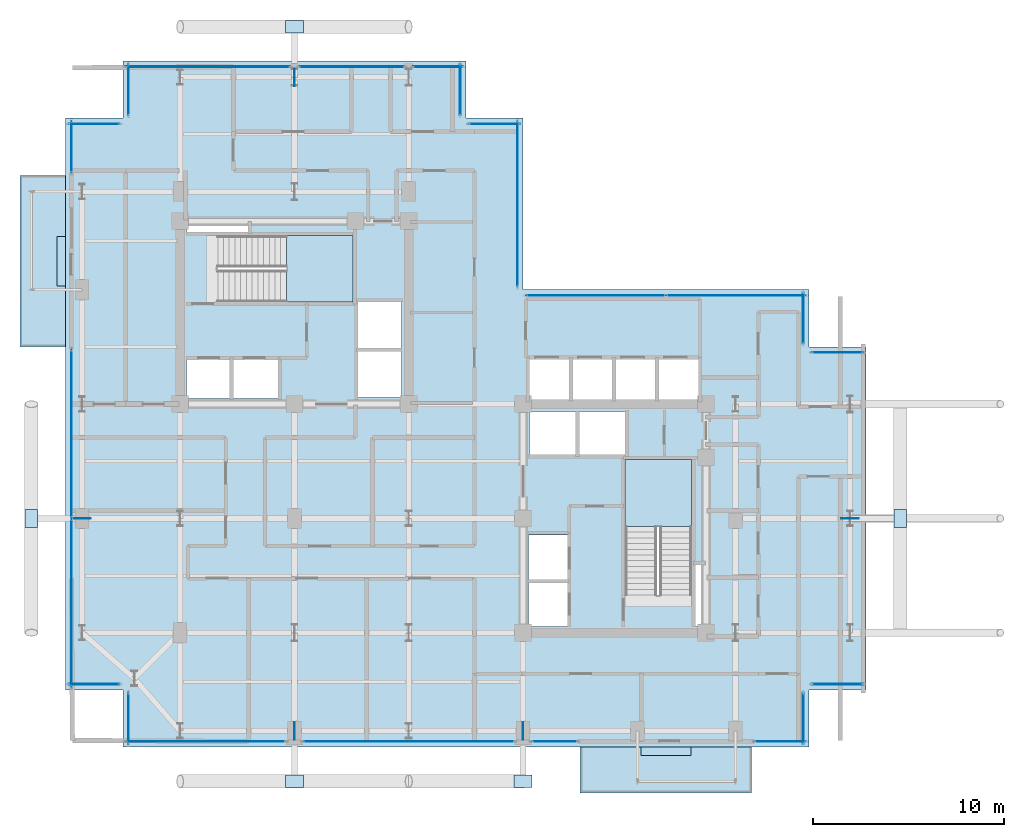
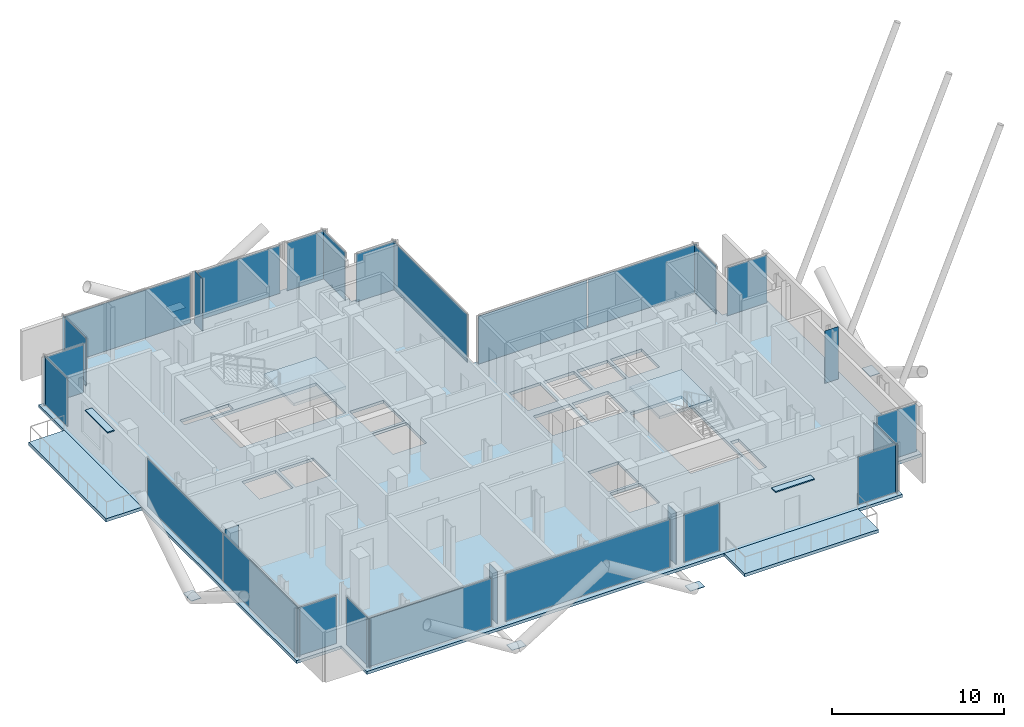
# One storey, part 16 of 26: 35 plates, 5 slabs, 23 elements without a shape of their own.
"""IFC4 building model written with IfcOpenShell, lengths in metres."""

from ifc_helpers import new_model, si_unit, direction, frame, origin, origin_2d, place, context, subcontext, project, spatial, polyline, rectangle, outline, extrude, material, layer, layer_set, type_object, element, aggregate, save


model = new_model("IFC4")

# Units and contexts
model_context = context("Model", 3, precision=1e-05, world=origin(), true_north=direction((0.0, 1.0)))
body_context = subcontext(model_context, "Body", "Model", "MODEL_VIEW")
ifc_project = project(units=[si_unit("LENGTHUNIT", "METRE"), si_unit("AREAUNIT", "SQUARE_METRE"), si_unit("VOLUMEUNIT", "CUBIC_METRE"), si_unit("PLANEANGLEUNIT", "RADIAN"), si_unit("MASSUNIT", "GRAM", prefix="KILO"), si_unit("THERMODYNAMICTEMPERATUREUNIT", "KELVIN"), si_unit("POWERUNIT", "WATT")], contexts=[model_context])

# Site, building, storey
site_placement = place(None, origin())
site = spatial("IfcSite", under=ifc_project, at=site_placement, CompositionType="ELEMENT")
building_placement = place(site_placement, origin())
building = spatial("IfcBuilding", under=site, at=building_placement, Name="Svarakhadi Broadcast Tower", CompositionType="ELEMENT")
storey_placement = place(building_placement, frame((0.0, 0.0, 184.199951171875)))
storey = spatial("IfcBuildingStorey", under=building, at=storey_placement, Name="L45", CompositionType="ELEMENT", Elevation=184.199951171875)

# Curtain wall, plate
ifc_material_1 = material(Name="Anodised Bronze Aluminium AA 6063-T6", Category="aluminium")
ifc_layer_1 = layer(ifc_material_1, 0.18994140625)
ifc_layer_set_1 = layer_set([ifc_layer_1], Name="Anodised Bronze Aluminium AA 6063-T6")
curtain_wall_type = type_object("IfcCurtainWallType", Name="CW_Sys_04", PredefinedType="NOTDEFINED", material=ifc_layer_set_1)
curtain_wall_1_placement = place(storey_placement, origin())
curtain_wall_1 = element("IfcCurtainWall", 1, at=curtain_wall_1_placement, inside=storey, type_object=curtain_wall_type, Name="L45 Unitised Facade Curtain Wall 01", PredefinedType="NOTDEFINED")
ifc_material_2 = material(Name="Double Low-E Laminated Acoustic Glass IGU 36 mm", Category="glass")
ifc_layer_2 = layer(ifc_material_2, 0.033935546875)
ifc_layer_set_2 = layer_set([ifc_layer_2], Name="Double Low-E Laminated Acoustic Glass IGU 36 mm")
plate_type_1 = type_object("IfcPlateType", Name="CW_Sys_04_Pnl", PredefinedType="CURTAIN_PANEL", material=ifc_layer_set_2)
plate_1_placement = place(storey_placement, frame((1.5, 3.300048828125, 0.06494140625), z_axis=(0.0, 0.0, 1.0), x_axis=(-1.0, 0.0, 0.0)))
plate_1 = element("IfcPlate", 2, at=plate_1_placement, type_object=plate_type_1, Name="CW-04 panel 1.1", PredefinedType="CURTAIN_PANEL", context=body_context, shape_type="SweptSolid", body=[
    extrude(rectangle(XDim=2.679931640625, YDim=0.033935546875, at=origin_2d()), origin(), (0.0, 0.0, 1.0), 3.409912109375),
])
aggregate(curtain_wall_1, [plate_1])

# Curtain wall, plates
curtain_wall_2_placement = place(storey_placement, origin())
curtain_wall_2 = element("IfcCurtainWall", 3, at=curtain_wall_2_placement, inside=storey, type_object=curtain_wall_type, Name="L45 West Curtain Wall 02", PredefinedType="NOTDEFINED")
plate_2_placement = place(storey_placement, frame((0.300048828125, 7.5625, 0.06494140625), z_axis=(0.0, 0.0, 1.0), x_axis=(0.0, 1.0, 0.0)))
plate_2 = element("IfcPlate", 4, at=plate_2_placement, type_object=plate_type_1, Name="CW-04 panel 1.1", PredefinedType="CURTAIN_PANEL", context=body_context, shape_type="SweptSolid", body=[
    extrude(rectangle(XDim=8.804931640625, YDim=0.033935546875, at=origin_2d()), origin(), (0.0, 0.0, 1.0), 3.409912109375),
])
plate_3_placement = place(storey_placement, frame((0.300048828125, 16.4375, 0.06494140625), z_axis=(0.0, 0.0, 1.0), x_axis=(0.0, 1.0, 0.0)))
plate_3 = element("IfcPlate", 5, at=plate_3_placement, type_object=plate_type_1, Name="CW-04 panel 2.1", PredefinedType="CURTAIN_PANEL", context=body_context, shape_type="SweptSolid", body=[
    extrude(rectangle(XDim=8.804931640625, YDim=0.033935546875, at=origin_2d()), origin(), (0.0, 0.0, 1.0), 3.409912109375),
])
aggregate(curtain_wall_2, [plate_2, plate_3])

# Curtain wall, plate
curtain_wall_3_placement = place(storey_placement, origin())
curtain_wall_3 = element("IfcCurtainWall", 6, at=curtain_wall_3_placement, inside=storey, type_object=curtain_wall_type, Name="L45 West Curtain Wall 03", PredefinedType="NOTDEFINED")
plate_4_placement = place(storey_placement, frame((0.300048828125, 31.5, 0.06494140625), z_axis=(0.0, 0.0, 1.0), x_axis=(0.0, 1.0, 0.0)))
plate_4 = element("IfcPlate", 7, at=plate_4_placement, type_object=plate_type_1, Name="CW-04 panel 1.1", PredefinedType="CURTAIN_PANEL", context=body_context, shape_type="SweptSolid", body=[
    extrude(rectangle(XDim=2.679931640625, YDim=0.033935546875, at=origin_2d()), origin(), (0.0, 0.0, 1.0), 3.409912109375),
])
aggregate(curtain_wall_3, [plate_4])

curtain_wall_4_placement = place(storey_placement, origin())
curtain_wall_4 = element("IfcCurtainWall", 8, at=curtain_wall_4_placement, inside=storey, type_object=curtain_wall_type, Name="L45 Unitised Facade Curtain Wall 04", PredefinedType="NOTDEFINED")
plate_5_placement = place(storey_placement, frame((1.5, 32.699951171875, 0.06494140625), z_axis=(0.0, 0.0, 1.0), x_axis=(1.0, 0.0, 0.0)))
plate_5 = element("IfcPlate", 9, at=plate_5_placement, type_object=plate_type_1, Name="CW-04 panel 1.1", PredefinedType="CURTAIN_PANEL", context=body_context, shape_type="SweptSolid", body=[
    extrude(rectangle(XDim=2.679931640625, YDim=0.033935546875, at=origin_2d()), origin(), (0.0, 0.0, 1.0), 3.409912109375),
])
aggregate(curtain_wall_4, [plate_5])

curtain_wall_5_placement = place(storey_placement, origin())
curtain_wall_5 = element("IfcCurtainWall", 10, at=curtain_wall_5_placement, inside=storey, type_object=curtain_wall_type, Name="L45 Unitised Facade Curtain Wall 05", PredefinedType="NOTDEFINED")
plate_6_placement = place(storey_placement, frame((3.300048828125, 34.5, 0.06494140625), z_axis=(0.0, 0.0, 1.0), x_axis=(0.0, 1.0, 0.0)))
plate_6 = element("IfcPlate", 11, at=plate_6_placement, type_object=plate_type_1, Name="CW-04 panel 1.1", PredefinedType="CURTAIN_PANEL", context=body_context, shape_type="SweptSolid", body=[
    extrude(rectangle(XDim=2.679931640625, YDim=0.033935546875, at=origin_2d()), origin(), (0.0, 0.0, 1.0), 3.409912109375),
])
aggregate(curtain_wall_5, [plate_6])

curtain_wall_6_placement = place(storey_placement, origin())
curtain_wall_6 = element("IfcCurtainWall", 12, at=curtain_wall_6_placement, inside=storey, type_object=curtain_wall_type, Name="L45 Unitised Facade Curtain Wall 06 Bay 1", PredefinedType="NOTDEFINED")
plate_7_placement = place(storey_placement, frame((7.4599609375, 35.699951171875, 0.06494140625), z_axis=(0.0, 0.0, 1.0), x_axis=(1.0, 0.0, 0.0)))
plate_7 = element("IfcPlate", 13, at=plate_7_placement, type_object=plate_type_1, Name="CW-04 panel 1.1", PredefinedType="CURTAIN_PANEL", context=body_context, shape_type="SweptSolid", body=[
    extrude(rectangle(XDim=8.60009765625, YDim=0.033935546875, at=origin_2d()), origin(), (0.0, 0.0, 1.0), 3.409912109375),
])
aggregate(curtain_wall_6, [plate_7])

curtain_wall_7_placement = place(storey_placement, origin())
curtain_wall_7 = element("IfcCurtainWall", 14, at=curtain_wall_7_placement, inside=storey, type_object=curtain_wall_type, Name="L45 Unitised Facade Curtain Wall 06 Bay 2", PredefinedType="NOTDEFINED")
plate_8_placement = place(storey_placement, frame((15.0, 35.699951171875, 0.06494140625), z_axis=(0.0, 0.0, 1.0), x_axis=(1.0, 0.0, 0.0)))
plate_8 = element("IfcPlate", 15, at=plate_8_placement, type_object=plate_type_1, Name="CW-04 panel 1.1", PredefinedType="CURTAIN_PANEL", context=body_context, shape_type="SweptSolid", body=[
    extrude(rectangle(XDim=5.52001953125, YDim=0.033935546875, at=origin_2d()), origin(), (0.0, 0.0, 1.0), 3.409912109375),
])
aggregate(curtain_wall_7, [plate_8])

curtain_wall_8_placement = place(storey_placement, origin())
curtain_wall_8 = element("IfcCurtainWall", 16, at=curtain_wall_8_placement, inside=storey, type_object=curtain_wall_type, Name="L45 Unitised Facade Curtain Wall 06 Bay 3", PredefinedType="NOTDEFINED")
plate_9_placement = place(storey_placement, frame((19.5400390625, 35.699951171875, 0.06494140625), z_axis=(0.0, 0.0, 1.0), x_axis=(1.0, 0.0, 0.0)))
plate_9 = element("IfcPlate", 17, at=plate_9_placement, type_object=plate_type_1, Name="CW-04 panel 1.1", PredefinedType="CURTAIN_PANEL", context=body_context, shape_type="SweptSolid", body=[
    extrude(rectangle(XDim=2.60009765625, YDim=0.033935546875, at=origin_2d()), origin(), (0.0, 0.0, 1.0), 3.409912109375),
])
aggregate(curtain_wall_8, [plate_9])

curtain_wall_9_placement = place(storey_placement, origin())
curtain_wall_9 = element("IfcCurtainWall", 18, at=curtain_wall_9_placement, inside=storey, type_object=curtain_wall_type, Name="L45 Unitised Facade Curtain Wall 07", PredefinedType="NOTDEFINED")
plate_10_placement = place(storey_placement, frame((20.699951171875, 34.5, 0.06494140625), z_axis=(0.0, 0.0, 1.0), x_axis=(0.0, -1.0, 0.0)))
plate_10 = element("IfcPlate", 19, at=plate_10_placement, type_object=plate_type_1, Name="CW-04 panel 1.1", PredefinedType="CURTAIN_PANEL", context=body_context, shape_type="SweptSolid", body=[
    extrude(rectangle(XDim=2.679931640625, YDim=0.033935546875, at=origin_2d()), origin(), (0.0, 0.0, 1.0), 3.409912109375),
])
aggregate(curtain_wall_9, [plate_10])

curtain_wall_10_placement = place(storey_placement, origin())
curtain_wall_10 = element("IfcCurtainWall", 20, at=curtain_wall_10_placement, inside=storey, type_object=curtain_wall_type, Name="L45 Unitised Facade Curtain Wall 08", PredefinedType="NOTDEFINED")
plate_11_placement = place(storey_placement, frame((22.5, 32.699951171875, 0.06494140625), z_axis=(0.0, 0.0, 1.0), x_axis=(1.0, 0.0, 0.0)))
plate_11 = element("IfcPlate", 21, at=plate_11_placement, type_object=plate_type_1, Name="CW-04 panel 1.1", PredefinedType="CURTAIN_PANEL", context=body_context, shape_type="SweptSolid", body=[
    extrude(rectangle(XDim=2.679931640625, YDim=0.033935546875, at=origin_2d()), origin(), (0.0, 0.0, 1.0), 3.409912109375),
])
aggregate(curtain_wall_10, [plate_11])

curtain_wall_11_placement = place(storey_placement, origin())
curtain_wall_11 = element("IfcCurtainWall", 22, at=curtain_wall_11_placement, inside=storey, type_object=curtain_wall_type, Name="L45 Unitised Facade Curtain Wall 09", PredefinedType="NOTDEFINED")
plate_12_placement = place(storey_placement, frame((23.699951171875, 28.5, 0.06494140625), z_axis=(0.0, 0.0, 1.0), x_axis=(0.0, -1.0, 0.0)))
plate_12 = element("IfcPlate", 23, at=plate_12_placement, type_object=plate_type_1, Name="CW-04 panel 1.1", PredefinedType="CURTAIN_PANEL", context=body_context, shape_type="SweptSolid", body=[
    extrude(rectangle(XDim=8.679931640625, YDim=0.033935546875, at=origin_2d()), origin(), (0.0, 0.0, 1.0), 3.409912109375),
])
aggregate(curtain_wall_11, [plate_12])

# Curtain wall, plates
curtain_wall_12_placement = place(storey_placement, origin())
curtain_wall_12 = element("IfcCurtainWall", 24, at=curtain_wall_12_placement, inside=storey, type_object=curtain_wall_type, Name="L45 Unitised Facade Curtain Wall 10", PredefinedType="NOTDEFINED")
plate_13_placement = place(storey_placement, frame((27.8125, 23.699951171875, 0.06494140625), z_axis=(0.0, 0.0, 1.0), x_axis=(1.0, 0.0, 0.0)))
plate_13 = element("IfcPlate", 25, at=plate_13_placement, type_object=plate_type_1, Name="CW-04 panel 1.1", PredefinedType="CURTAIN_PANEL", context=body_context, shape_type="SweptSolid", body=[
    extrude(rectangle(XDim=7.304931640625, YDim=0.033935546875, at=origin_2d()), origin(), (0.0, 0.0, 1.0), 3.409912109375),
])
plate_14_placement = place(storey_placement, frame((35.1875, 23.699951171875, 0.06494140625), z_axis=(0.0, 0.0, 1.0), x_axis=(1.0, 0.0, 0.0)))
plate_14 = element("IfcPlate", 26, at=plate_14_placement, type_object=plate_type_1, Name="CW-04 panel 2.1", PredefinedType="CURTAIN_PANEL", context=body_context, shape_type="SweptSolid", body=[
    extrude(rectangle(XDim=7.304931640625, YDim=0.033935546875, at=origin_2d()), origin(), (0.0, 0.0, 1.0), 3.409912109375),
])
aggregate(curtain_wall_12, [plate_13, plate_14])

# Curtain wall, plate
curtain_wall_13_placement = place(storey_placement, origin())
curtain_wall_13 = element("IfcCurtainWall", 27, at=curtain_wall_13_placement, inside=storey, type_object=curtain_wall_type, Name="L45 Unitised Facade Curtain Wall 11", PredefinedType="NOTDEFINED")
plate_15_placement = place(storey_placement, frame((38.699951171875, 22.5, 0.06494140625), z_axis=(0.0, 0.0, 1.0), x_axis=(0.0, -1.0, 0.0)))
plate_15 = element("IfcPlate", 28, at=plate_15_placement, type_object=plate_type_1, Name="CW-04 panel 1.1", PredefinedType="CURTAIN_PANEL", context=body_context, shape_type="SweptSolid", body=[
    extrude(rectangle(XDim=2.679931640625, YDim=0.033935546875, at=origin_2d()), origin(), (0.0, 0.0, 1.0), 3.409912109375),
])
aggregate(curtain_wall_13, [plate_15])

curtain_wall_14_placement = place(storey_placement, origin())
curtain_wall_14 = element("IfcCurtainWall", 29, at=curtain_wall_14_placement, inside=storey, type_object=curtain_wall_type, Name="L45 Unitised Facade Curtain Wall 12", PredefinedType="NOTDEFINED")
plate_16_placement = place(storey_placement, frame((40.5, 20.699951171875, 0.06494140625), z_axis=(0.0, 0.0, 1.0), x_axis=(1.0, 0.0, 0.0)))
plate_16 = element("IfcPlate", 30, at=plate_16_placement, type_object=plate_type_1, Name="CW-04 panel 1.1", PredefinedType="CURTAIN_PANEL", context=body_context, shape_type="SweptSolid", body=[
    extrude(rectangle(XDim=2.679931640625, YDim=0.033935546875, at=origin_2d()), origin(), (0.0, 0.0, 1.0), 3.409912109375),
])
aggregate(curtain_wall_14, [plate_16])

curtain_wall_15_placement = place(storey_placement, origin())
curtain_wall_15 = element("IfcCurtainWall", 31, at=curtain_wall_15_placement, inside=storey, type_object=curtain_wall_type, Name="L45 Unitised Facade Curtain Wall 13", PredefinedType="NOTDEFINED")
plate_17_placement = place(storey_placement, frame((40.5, 3.300048828125, 0.06494140625), z_axis=(0.0, 0.0, 1.0), x_axis=(-1.0, 0.0, 0.0)))
plate_17 = element("IfcPlate", 32, at=plate_17_placement, type_object=plate_type_1, Name="CW-04 panel 1.1", PredefinedType="CURTAIN_PANEL", context=body_context, shape_type="SweptSolid", body=[
    extrude(rectangle(XDim=2.679931640625, YDim=0.033935546875, at=origin_2d()), origin(), (0.0, 0.0, 1.0), 3.409912109375),
])
aggregate(curtain_wall_15, [plate_17])

curtain_wall_16_placement = place(storey_placement, origin())
curtain_wall_16 = element("IfcCurtainWall", 33, at=curtain_wall_16_placement, inside=storey, type_object=curtain_wall_type, Name="L45 Unitised Facade Curtain Wall 14", PredefinedType="NOTDEFINED")
plate_18_placement = place(storey_placement, frame((38.699951171875, 1.5, 0.06494140625), z_axis=(0.0, 0.0, 1.0), x_axis=(0.0, -1.0, 0.0)))
plate_18 = element("IfcPlate", 34, at=plate_18_placement, type_object=plate_type_1, Name="CW-04 panel 1.1", PredefinedType="CURTAIN_PANEL", context=body_context, shape_type="SweptSolid", body=[
    extrude(rectangle(XDim=2.679931640625, YDim=0.033935546875, at=origin_2d()), origin(), (0.0, 0.0, 1.0), 3.409912109375),
])
aggregate(curtain_wall_16, [plate_18])

curtain_wall_17_placement = place(storey_placement, origin())
curtain_wall_17 = element("IfcCurtainWall", 35, at=curtain_wall_17_placement, inside=storey, type_object=curtain_wall_type, Name="L45 South Curtain Wall 15", PredefinedType="NOTDEFINED")
plate_19_placement = place(storey_placement, frame((37.5, 0.300048828125, 0.06494140625), z_axis=(0.0, 0.0, 1.0), x_axis=(-1.0, 0.0, 0.0)))
plate_19 = element("IfcPlate", 36, at=plate_19_placement, type_object=plate_type_1, Name="CW-04 panel 1.1", PredefinedType="CURTAIN_PANEL", context=body_context, shape_type="SweptSolid", body=[
    extrude(rectangle(XDim=2.679931640625, YDim=0.033935546875, at=origin_2d()), origin(), (0.0, 0.0, 1.0), 3.409912109375),
])
aggregate(curtain_wall_17, [plate_19])

curtain_wall_18_placement = place(storey_placement, origin())
curtain_wall_18 = element("IfcCurtainWall", 37, at=curtain_wall_18_placement, inside=storey, type_object=curtain_wall_type, Name="L45 South Curtain Wall 16 Bay 1", PredefinedType="NOTDEFINED")
plate_20_placement = place(storey_placement, frame((25.652587890625, 0.300048828125, 0.06494140625), z_axis=(0.0, 0.0, 1.0), x_axis=(-1.0, 0.0, 0.0)))
plate_20 = element("IfcPlate", 38, at=plate_20_placement, type_object=plate_type_1, Name="CW-04 panel 1.1", PredefinedType="CURTAIN_PANEL", context=body_context, shape_type="SweptSolid", body=[
    extrude(rectangle(XDim=2.375, YDim=0.033935546875, at=origin_2d()), origin(), (0.0, 0.0, 1.0), 3.409912109375),
])
aggregate(curtain_wall_18, [plate_20])

curtain_wall_19_placement = place(storey_placement, origin())
curtain_wall_19 = element("IfcCurtainWall", 39, at=curtain_wall_19_placement, inside=storey, type_object=curtain_wall_type, Name="L45 South Curtain Wall 16 Bay 2", PredefinedType="NOTDEFINED")
plate_21_placement = place(storey_placement, frame((18.0, 0.300048828125, 0.06494140625), z_axis=(0.0, 0.0, 1.0), x_axis=(-1.0, 0.0, 0.0)))
plate_21 = element("IfcPlate", 40, at=plate_21_placement, type_object=plate_type_1, Name="CW-04 panel 1.1", PredefinedType="CURTAIN_PANEL", context=body_context, shape_type="SweptSolid", body=[
    extrude(rectangle(XDim=11.070068359375, YDim=0.033935546875, at=origin_2d()), origin(), (0.0, 0.0, 1.0), 3.409912109375),
])
aggregate(curtain_wall_19, [plate_21])

curtain_wall_20_placement = place(storey_placement, origin())
curtain_wall_20 = element("IfcCurtainWall", 41, at=curtain_wall_20_placement, inside=storey, type_object=curtain_wall_type, Name="L45 South Curtain Wall 16 Bay 3", PredefinedType="NOTDEFINED")
plate_22_placement = place(storey_placement, frame((7.347412109375, 0.300048828125, 0.06494140625), z_axis=(0.0, 0.0, 1.0), x_axis=(-1.0, 0.0, 0.0)))
plate_22 = element("IfcPlate", 42, at=plate_22_placement, type_object=plate_type_1, Name="CW-04 panel 1.1", PredefinedType="CURTAIN_PANEL", context=body_context, shape_type="SweptSolid", body=[
    extrude(rectangle(XDim=8.375, YDim=0.033935546875, at=origin_2d()), origin(), (0.0, 0.0, 1.0), 3.409912109375),
])
aggregate(curtain_wall_20, [plate_22])

curtain_wall_21_placement = place(storey_placement, origin())
curtain_wall_21 = element("IfcCurtainWall", 43, at=curtain_wall_21_placement, inside=storey, type_object=curtain_wall_type, Name="L45 Unitised Facade Curtain Wall 17", PredefinedType="NOTDEFINED")
plate_23_placement = place(storey_placement, frame((3.300048828125, 1.5, 0.06494140625), z_axis=(0.0, 0.0, 1.0), x_axis=(0.0, 1.0, 0.0)))
plate_23 = element("IfcPlate", 44, at=plate_23_placement, type_object=plate_type_1, Name="CW-04 panel 1.1", PredefinedType="CURTAIN_PANEL", context=body_context, shape_type="SweptSolid", body=[
    extrude(rectangle(XDim=2.679931640625, YDim=0.033935546875, at=origin_2d()), origin(), (0.0, 0.0, 1.0), 3.409912109375),
])
aggregate(curtain_wall_21, [plate_23])

# Plates
ifc_material_3 = material(Name="Steel S460ML (IS 2062 E450BR)", Category="steel")
ifc_layer_3 = layer(ifc_material_3, 0.028076171875)
ifc_layer_set_3 = layer_set([ifc_layer_3], Name="Steel S460ML (IS 2062 E450BR)")
plate_type_2 = type_object("IfcPlateType", Name="Node_Gusset_N03", PredefinedType="SHEET", material=ifc_layer_set_3)
for number, where, z_axis, x_axis, name in (
    (45, (12.0, -1.800048828125, -0.2099609375), (0.0, 0.0, 1.0), (1.0, 0.0, 0.0), "L45 Exoskeleton Gusset Node Plate S01"),
    (46, (24.0, -1.800048828125, -0.2099609375), (0.0, 0.0, 1.0), (1.0, 0.0, 0.0), "L45 Exoskeleton Gusset Node Plate S02"),
    (47, (-1.800048828125, 12.0, -0.2099609375), (0.0, 0.0, 1.0), (0.0, 1.0, 0.0), "L45 Exoskeleton Gusset Node Plate W03"),
    (48, (43.800048828125, 12.0, -0.2099609375), (0.0, 0.0, 1.0), (0.0, 1.0, 0.0), "L45 Exoskeleton Gusset Node Plate E04"),
    (49, (12.0, 37.800048828125, -0.2099609375), (0.0, 0.0, 1.0), (1.0, 0.0, 0.0), "L45 Exoskeleton Gusset Node Plate N05"),
):
    element("IfcPlate", number, at=place(storey_placement, frame(where, z_axis=z_axis, x_axis=x_axis)), inside=storey, type_object=plate_type_2, Name=name, PredefinedType="SHEET", context=body_context, shape_type="SweptSolid", body=[
        extrude(rectangle(XDim=0.9599609375, YDim=0.659912109375, at=origin_2d()), origin(), (0.0, 0.0, 1.0), 0.028076171875),
    ])
ifc_layer_4 = layer(ifc_material_3, 0.02587890625)
ifc_layer_set_4 = layer_set([ifc_layer_4], Name="Steel S460ML (IS 2062 E450BR)")
plate_type_3 = type_object("IfcPlateType", Name="Node_Gusset_N07", PredefinedType="SHEET", material=ifc_layer_set_4)
for number, where, z_axis, x_axis, name in (
    (50, (12.0, 0.85009765625, -0.57177734375), (0.0, 0.0, 1.0), (0.0, 1.0, 0.0), "L45 Brace End Connection Gusset Plate N-07-E0373"),
    (51, (24.0, 0.85009765625, -0.57177734375), (0.0, 0.0, 1.0), (0.0, 1.0, 0.0), "L45 Brace End Connection Gusset Plate N-07-E0374"),
    (52, (0.85009765625, 12.0, -0.57177734375), (0.0, 0.0, 1.0), (1.0, 0.0, 0.0), "L45 Brace End Connection Gusset Plate N-07-E0375"),
    (53, (41.14990234375, 12.0, -0.57177734375), (0.0, 0.0, 1.0), (1.0, 0.0, 0.0), "L45 Brace End Connection Gusset Plate N-07-E0376"),
    (54, (12.0, 35.14990234375, -0.57177734375), (0.0, 0.0, 1.0), (0.0, 1.0, 0.0), "L45 Brace End Connection Gusset Plate N-07-E0377"),
):
    element("IfcPlate", number, at=place(storey_placement, frame(where, z_axis=z_axis, x_axis=x_axis)), inside=storey, type_object=plate_type_3, Name=name, PredefinedType="SHEET", context=body_context, shape_type="SweptSolid", body=[
        extrude(rectangle(XDim=0.919921875, YDim=0.02587890625, at=origin_2d()), origin(), (0.0, 0.0, 1.0), 4.300048828125),
    ])

# Slab
ifc_material_4 = material(Name="Concrete C40/50 (IS 456 M50)", Category="concrete")
ifc_layer_5 = layer(ifc_material_4, 0.2099609375)
ifc_layer_set_5 = layer_set([ifc_layer_5], Name="Concrete C40/50 (IS 456 M50)")
slab_type_1 = type_object("IfcSlabType", Name="Slab_Floor_210", PredefinedType="FLOOR", material=ifc_layer_set_5)
slab_1_placement = place(storey_placement, frame((0.0, 0.0, -0.2099609375)))
element("IfcSlab", 55, at=slab_1_placement, inside=storey, type_object=slab_type_1, Name="L45 Structural Floor Slab", PredefinedType="FLOOR", context=body_context, shape_type="SweptSolid", body=[
    extrude(outline(polyline([(3.0, 0.0), (39.0, 0.0), (39.0, 3.0), (42.0, 3.0), (42.0, 21.0), (39.0, 21.0), (39.0, 24.0), (24.0, 24.0), (24.0, 33.0), (21.0, 33.0), (21.0, 36.0), (3.0, 36.0), (3.0, 33.0), (0.0, 33.0), (0.0, 3.0), (3.0, 3.0), (3.0, 0.0)]), holes=[polyline([(7.97998046875, 23.360107421875), (15.080078125, 23.360107421875), (15.080078125, 26.840087890625), (7.97998046875, 26.840087890625), (7.97998046875, 23.360107421875)]), polyline([(32.840087890625, 7.97998046875), (32.840087890625, 15.080078125), (29.360107421875, 15.080078125), (29.360107421875, 7.97998046875), (32.840087890625, 7.97998046875)]), polyline([(6.340087890625, 18.2900390625), (8.610107421875, 18.2900390625), (8.610107421875, 20.330078125), (6.340087890625, 20.330078125), (6.340087890625, 18.2900390625)]), polyline([(8.7900390625, 18.2900390625), (11.1298828125, 18.2900390625), (11.1298828125, 20.330078125), (8.7900390625, 20.330078125), (8.7900390625, 18.2900390625)]), polyline([(24.2900390625, 6.340087890625), (26.330078125, 6.340087890625), (26.330078125, 8.610107421875), (24.2900390625, 8.610107421875), (24.2900390625, 6.340087890625)]), polyline([(24.2900390625, 8.7900390625), (26.330078125, 8.7900390625), (26.330078125, 11.1298828125), (24.2900390625, 11.1298828125), (24.2900390625, 8.7900390625)]), polyline([(6.340087890625, 26.989990234375), (9.610107421875, 26.989990234375), (9.610107421875, 27.530029296875), (6.340087890625, 27.530029296875), (6.340087890625, 26.989990234375)]), polyline([(32.989990234375, 6.340087890625), (33.530029296875, 6.340087890625), (33.530029296875, 9.610107421875), (32.989990234375, 9.610107421875), (32.989990234375, 6.340087890625)]), polyline([(15.340087890625, 18.340087890625), (17.610107421875, 18.340087890625), (17.610107421875, 20.760009765625), (15.340087890625, 20.760009765625), (15.340087890625, 18.340087890625)]), polyline([(15.340087890625, 20.93994140625), (17.610107421875, 20.93994140625), (17.610107421875, 23.360107421875), (15.340087890625, 23.360107421875), (15.340087890625, 20.93994140625)]), polyline([(24.340087890625, 15.340087890625), (26.760009765625, 15.340087890625), (26.760009765625, 17.610107421875), (24.340087890625, 17.610107421875), (24.340087890625, 15.340087890625)]), polyline([(26.93994140625, 15.340087890625), (29.360107421875, 15.340087890625), (29.360107421875, 17.610107421875), (26.93994140625, 17.610107421875), (26.93994140625, 15.340087890625)]), polyline([(24.340087890625, 18.239990234375), (26.429931640625, 18.239990234375), (26.429931640625, 20.360107421875), (24.340087890625, 20.360107421875), (24.340087890625, 18.239990234375)]), polyline([(26.610107421875, 18.239990234375), (28.679931640625, 18.239990234375), (28.679931640625, 20.360107421875), (26.610107421875, 20.360107421875), (26.610107421875, 18.239990234375)]), polyline([(28.860107421875, 18.239990234375), (30.929931640625, 18.239990234375), (30.929931640625, 20.360107421875), (28.860107421875, 20.360107421875), (28.860107421875, 18.239990234375)]), polyline([(31.110107421875, 18.239990234375), (33.2099609375, 18.239990234375), (33.2099609375, 20.360107421875), (31.110107421875, 20.360107421875), (31.110107421875, 18.239990234375)])]), origin(), (0.0, 0.0, 1.0), 0.2099609375),
])

# Stair, slab
stair_type = type_object("IfcStairType", Name="Stair_Exit_Core", PredefinedType="HALF_TURN_STAIR", material=ifc_material_4)
stair_1_placement = place(storey_placement, origin())
stair_1 = element("IfcStair", 56, at=stair_1_placement, inside=storey, type_object=stair_type, Name="L45 West Core Protected Exit Stair ST-01", PredefinedType="HALF_TURN_STAIR")
ifc_layer_6 = layer(ifc_material_4, 0.199951171875)
ifc_layer_set_6 = layer_set([ifc_layer_6], Name="Concrete C40/50 (IS 456 M50)")
slab_type_2 = type_object("IfcSlabType", Name="Slab_Stair_Land", PredefinedType="LANDING", material=ifc_layer_set_6)
slab_2_placement = place(storey_placement, frame((0.0, 0.0, 1.675048828125)))
slab_2 = element("IfcSlab", 57, at=slab_2_placement, type_object=slab_type_2, Name="ST-01 landing 1", PredefinedType="LANDING", context=body_context, shape_type="SweptSolid", body=[
    extrude(outline(polyline([(11.580078125, 23.360107421875), (15.080078125, 23.360107421875), (15.080078125, 26.840087890625), (11.580078125, 26.840087890625), (11.580078125, 23.360107421875)])), origin(), (0.0, 0.0, 1.0), 0.199951171875),
])
aggregate(stair_1, [slab_2])

stair_2_placement = place(storey_placement, origin())
stair_2 = element("IfcStair", 58, at=stair_2_placement, inside=storey, type_object=stair_type, Name="L45 East Core Protected Exit Stair ST-02", PredefinedType="HALF_TURN_STAIR")
slab_3_placement = place(storey_placement, frame((0.0, 0.0, 1.675048828125)))
slab_3 = element("IfcSlab", 59, at=slab_3_placement, type_object=slab_type_2, Name="ST-02 landing 1", PredefinedType="LANDING", context=body_context, shape_type="SweptSolid", body=[
    extrude(outline(polyline([(32.840087890625, 11.580078125), (32.840087890625, 15.080078125), (29.360107421875, 15.080078125), (29.360107421875, 11.580078125), (32.840087890625, 11.580078125)])), origin(), (0.0, 0.0, 1.0), 0.199951171875),
])
aggregate(stair_2, [slab_3])

# Slabs
ifc_layer_7 = layer(ifc_material_4, 0.22509765625)
ifc_layer_set_7 = layer_set([ifc_layer_7], Name="Concrete C40/50 (IS 456 M50)")
slab_type_3 = type_object("IfcSlabType", Name="Slab_TreeBalcony", PredefinedType="FLOOR", material=ifc_layer_set_7)
slab_4_placement = place(storey_placement, frame((0.0, 0.0, -0.224853515625)))
element("IfcSlab", 60, at=slab_4_placement, inside=storey, type_object=slab_type_3, Name="L45 Planted Tree Balcony Slab BAL-E", PredefinedType="FLOOR", context=body_context, shape_type="SweptSolid", body=[
    extrude(outline(polyline([(27.0, -2.39990234375), (36.0, -2.39990234375), (36.0, 0.0), (27.0, 0.0), (27.0, -2.39990234375)])), origin(), (0.0, 0.0, 1.0), 0.224853515625),
])
slab_5_placement = place(storey_placement, frame((0.0, 0.0, -0.224853515625)))
element("IfcSlab", 61, at=slab_5_placement, inside=storey, type_object=slab_type_3, Name="L45 Planted Tree Balcony Slab BAL-N", PredefinedType="FLOOR", context=body_context, shape_type="SweptSolid", body=[
    extrude(outline(polyline([(-2.39990234375, 21.0), (0.0, 21.0), (0.0, 30.0), (-2.39990234375, 30.0), (-2.39990234375, 21.0)])), origin(), (0.0, 0.0, 1.0), 0.224853515625),
])

# Plates
ifc_layer_8 = layer(ifc_material_1, 0.080078125)
ifc_layer_set_8 = layer_set([ifc_layer_8], Name="Anodised Bronze Aluminium AA 6063-T6")
plate_type_4 = type_object("IfcPlateType", Name="Sunshade_Fin_SS01", PredefinedType="USERDEFINED", material=ifc_layer_set_8)
for number, where, z_axis, x_axis, name in (
    (62, (31.5, -0.22509765625, 3.4599609375), (0.0, 0.0, 1.0), (1.0, 0.0, 0.0), "L45 South Bronze Brise-Soleil Sunshade SS-01"),
    (63, (-0.22509765625, 25.5, 3.4599609375), (0.0, 0.0, 1.0), (0.0, 1.0, 0.0), "L45 West Bronze Brise-Soleil Sunshade SS-01"),
):
    element("IfcPlate", number, at=place(storey_placement, frame(where, z_axis=z_axis, x_axis=x_axis)), inside=storey, type_object=plate_type_4, Name=name, ObjectType="SUNSHADE", PredefinedType="USERDEFINED", context=body_context, shape_type="SweptSolid", body=[
        extrude(rectangle(XDim=2.60009765625, YDim=0.449951171875, at=origin_2d()), origin(), (0.0, 0.0, 1.0), 0.080078125),
    ])

save(model, "model.ifc")
